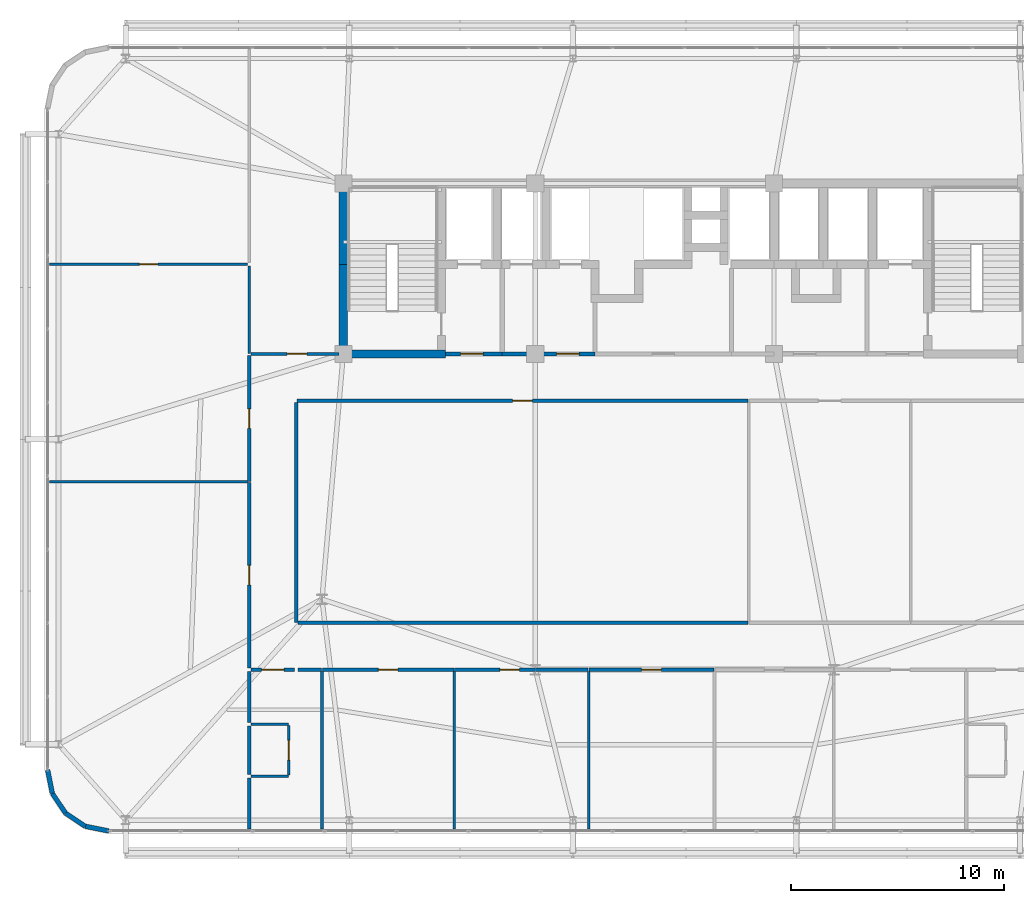
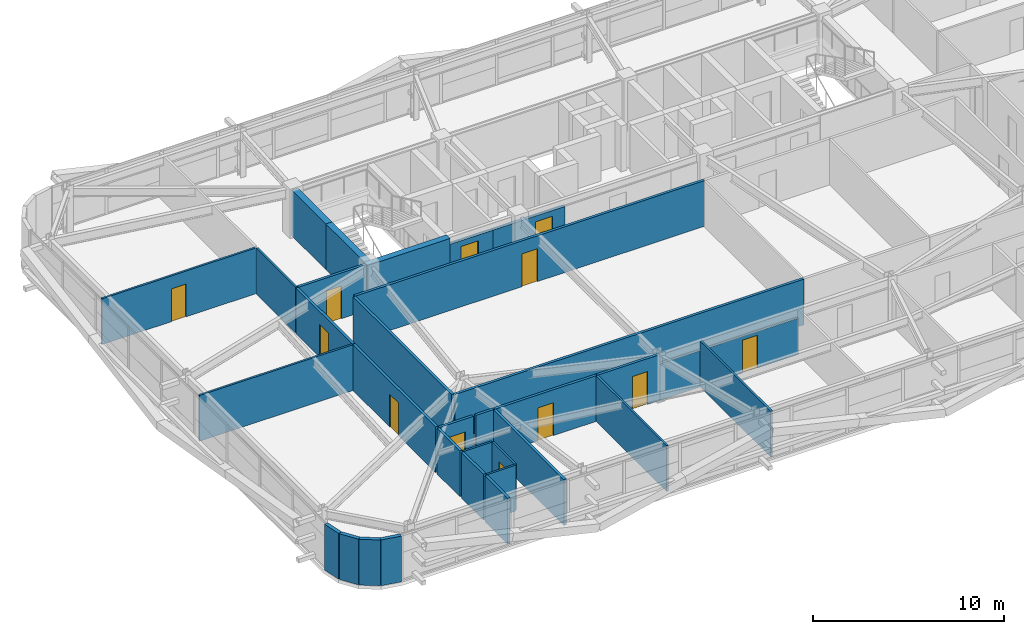
# One storey, part 52 of 58: 33 walls, 12 doors, 12 openings.
"""IFC4 building model written with IfcOpenShell, lengths in metres."""

from ifc_helpers import new_model, si_unit, direction, frame, frame_2d, origin, place, context, subcontext, project, spatial, rectangle, extrude, source, transform, mapped, material, layer, layer_set, type_object, element, fill, save


model = new_model("IFC4")

# Units and contexts
model_context = context("Model", 3, precision=1e-05, world=origin(), true_north=direction((0.0, 1.0)))
body_context = subcontext(model_context, "Body", "Model", "MODEL_VIEW")
ifc_project = project(units=[si_unit("LENGTHUNIT", "METRE"), si_unit("AREAUNIT", "SQUARE_METRE"), si_unit("VOLUMEUNIT", "CUBIC_METRE"), si_unit("PLANEANGLEUNIT", "RADIAN"), si_unit("MASSUNIT", "GRAM", prefix="KILO")], contexts=[model_context])

# Site, building, storey
site_placement = place(None, origin())
site = spatial("IfcSite", under=ifc_project, at=site_placement, CompositionType="ELEMENT")
building_placement = place(site_placement, origin())
building = spatial("IfcBuilding", under=site, at=building_placement, Name="Taldren Reach Tower", CompositionType="ELEMENT")
storey_placement = place(building_placement, frame((0.0, 0.0, 51.449951171875)))
storey = spatial("IfcBuildingStorey", under=building, at=storey_placement, Name="L15", CompositionType="ELEMENT", Elevation=51.449951171875)

# Walls
ifc_material_1 = material(Name="Pale Champagne Anodised Aluminium Cladding", Category="aluminium")
ifc_layer_1 = layer(ifc_material_1, 0.04, Name="Pale Champagne Anodised Aluminium Cladding", Category="aluminium")
ifc_material_2 = material(Name="Mineral Wool Acoustic Insulation", Category="insulation")
ifc_layer_2 = layer(ifc_material_2, 0.06, Name="Mineral Wool Acoustic Insulation", Category="insulation")
ifc_material_3 = material(Name="Steel Gr 350 (C350L0)", Category="steel")
ifc_layer_3 = layer(ifc_material_3, 0.12, Name="Steel Gr 350 (C350L0)", Category="steel")
ifc_layer_set_1 = layer_set([ifc_layer_1, ifc_layer_2, ifc_layer_3], Name="Pale Champagne Aluminium Cladding and Steel Gr 350 Stud Framing")
wall_type_1 = type_object("IfcWallType", Name="EW-CRN-220", PredefinedType="SOLIDWALL", material=ifc_layer_set_1)
shared_shape_1 = source(origin(), body_context, "Body", "SweptSolid", [
    extrude(rectangle(XDim=1.115966796875, YDim=0.219970703125, at=frame_2d((0.55810546875, 0.0))), origin(), (0.0, 0.0, 1.0), 2.929931640625),
])
for number, where, z_axis, x_axis, name in (
    (1, (5.139892578125, 4.5, 0.0), (0.0, 0.0, 1.0), (0.195148375659, -0.98077373103, 0.0), "Rounded-corner pale-metal facade wall L15-SW1"),
    (2, (5.357666015625, 3.405517578125, 0.0), (0.0, 0.0, 1.0), (0.555709556774, -0.83137650226, 0.0), "Rounded-corner pale-metal facade wall L15-SW2"),
    (3, (5.977783203125, 2.477783203125, 0.0), (0.0, 0.0, 1.0), (0.83137650226, -0.555709556774, 0.0), "Rounded-corner pale-metal facade wall L15-SW3"),
    (4, (6.905517578125, 1.857666015625, 0.0), (0.0, 0.0, 1.0), (0.98077373103, -0.195148375659, 0.0), "Rounded-corner pale-metal facade wall L15-SW4"),
):
    element("IfcWall", number, at=place(storey_placement, frame(where, z_axis=z_axis, x_axis=x_axis)), inside=storey, type_object=wall_type_1, Name=name, PredefinedType="SOLIDWALL", context=body_context, shape_type="MappedRepresentation", body=[
        mapped(shared_shape_1, transform((0.0, 0.0, 0.0), scale=1.0)),
    ])
ifc_material_4 = material(Name="Concrete S80 (80 MPa)", Category="concrete")
ifc_layer_4 = layer(ifc_material_4, 0.3798828125)
ifc_layer_set_2 = layer_set([ifc_layer_4], Name="Concrete S80 (80 MPa)")
wall_type_2 = type_object("IfcWallType", Name="IW-CORE-380", PredefinedType="SHEAR", material=ifc_layer_set_2)
shared_shape_2 = source(origin(), body_context, "Body", "SweptSolid", [
    extrude(rectangle(XDim=4.010009765625, YDim=0.3798828125, at=frame_2d((2.0048828125, 0.0))), origin(), (0.0, 0.0, 1.0), 2.929931640625),
])
wall_1_placement = place(storey_placement, frame((19.0, 24.18994140625, 0.0), z_axis=(0.0, 0.0, 1.0), x_axis=(0.0, 1.0, 0.0)))
element("IfcWall", 5, at=wall_1_placement, inside=storey, type_object=wall_type_2, Name="Rear Core Shear Wall W-CORE-L15-WEST1", PredefinedType="SHEAR", context=body_context, shape_type="MappedRepresentation", body=[
    mapped(shared_shape_2, transform((0.0, 0.0, 0.0), scale=1.0)),
])
shared_shape_3 = source(origin(), body_context, "Body", "SweptSolid", [
    extrude(rectangle(XDim=3.610107421875, YDim=0.3798828125, at=frame_2d((1.80517578125, 0.0))), origin(), (0.0, 0.0, 1.0), 2.929931640625),
])
wall_2_placement = place(storey_placement, frame((19.0, 28.199951171875, 0.0), z_axis=(0.0, 0.0, 1.0), x_axis=(0.0, 1.0, 0.0)))
element("IfcWall", 6, at=wall_2_placement, inside=storey, type_object=wall_type_2, Name="Rear Core Shear Wall W-CORE-L15-WEST2", PredefinedType="SHEAR", context=body_context, shape_type="MappedRepresentation", body=[
    mapped(shared_shape_3, transform((0.0, 0.0, 0.0), scale=1.0)),
])
shared_shape_4 = source(origin(), body_context, "Body", "SweptSolid", [
    extrude(rectangle(XDim=4.97998046875, YDim=0.3798828125, at=frame_2d((2.489990234375, 0.0))), origin(), (0.0, 0.0, 1.0), 2.929931640625),
])
wall_3_placement = place(storey_placement, frame((18.81005859375, 24.0, 0.0), z_axis=(0.0, 0.0, 1.0), x_axis=(1.0, 0.0, 0.0)))
element("IfcWall", 7, at=wall_3_placement, inside=storey, type_object=wall_type_2, Name="Rear Core Shear Wall W-INT-L15-003", PredefinedType="SHEAR", context=body_context, shape_type="MappedRepresentation", body=[
    mapped(shared_shape_4, transform((0.0, 0.0, 0.0), scale=1.0)),
])

# Wall, opening, door
ifc_material_5 = material(Name="Concrete S50 (50 MPa)", Category="concrete")
ifc_layer_5 = layer(ifc_material_5, 0.199951171875)
ifc_layer_set_3 = layer_set([ifc_layer_5], Name="Concrete S50 (50 MPa)")
wall_type_3 = type_object("IfcWallType", Name="IW-CORE-200", PredefinedType="SOLIDWALL", material=ifc_layer_set_3)
shared_shape_5 = source(origin(), body_context, "Body", "SweptSolid", [
    extrude(rectangle(XDim=2.659912109375, YDim=0.199951171875, at=frame_2d((1.330078125, 0.0))), origin(), (0.0, 0.0, 1.0), 2.469970703125),
])
wall_4_placement = place(storey_placement, frame((23.7900390625, 24.0, 0.0), z_axis=(0.0, 0.0, 1.0), x_axis=(1.0, 0.0, 0.0)))
wall_4 = element("IfcWall", 8, at=wall_4_placement, inside=storey, type_object=wall_type_3, Name="Rear Core Shear Wall W-INT-L15-007", PredefinedType="SOLIDWALL", context=body_context, shape_type="MappedRepresentation", body=[
    mapped(shared_shape_5, transform((0.0, 0.0, 0.0), scale=1.0)),
])
shared_shape_6 = source(origin(), body_context, "Body", "SweptSolid", [
    extrude(rectangle(XDim=1.050048828125, YDim=2.10009765625, at=frame_2d((0.52490234375, 1.050048828125))), frame((0.0, 0.10986328125, 0.0), z_axis=(0.0, -1.0, 0.0), x_axis=(1.0, 0.0, 0.0)), (0.0, 0.0, 1.0), 0.219970703125),
])
opening_1_placement = place(wall_4_placement, frame((0.7099609375, 0.0, 0.0)))
opening_1 = element("IfcOpeningElement", 9, at=opening_1_placement, cuts=wall_4, Name="Opening DF-105", PredefinedType="OPENING", context=body_context, shape_type="MappedRepresentation", body=[
    mapped(shared_shape_6, transform((0.0, 0.0, 0.0), scale=1.0)),
])
ifc_material_6 = material(Name="Fire-Rated Care and Stair Exit Door")
door_type_1 = type_object("IfcDoorType", Name="ID-FIRE-105", OperationType="NOTDEFINED", PredefinedType="DOOR", material=ifc_material_6)
shared_shape_7 = source(origin(), body_context, "Body", "SweptSolid", [
    extrude(rectangle(XDim=1.050048828125, YDim=2.10009765625, at=frame_2d((0.52490234375, 1.050048828125))), frame((0.0, 0.02490234375, 0.0), z_axis=(0.0, -1.0, 0.0), x_axis=(1.0, 0.0, 0.0)), (0.0, 0.0, 1.0), 0.050048828125),
])
door_1_placement = place(opening_1_placement, origin())
door_1 = element("IfcDoor", 10, at=door_1_placement, inside=storey, type_object=door_type_1, Name="Interior Door DR-L15-002", OperationType="SINGLE_SWING_LEFT", OverallHeight=2.10009765625, OverallWidth=1.050048828125, PredefinedType="DOOR", context=body_context, shape_type="MappedRepresentation", body=[
    mapped(shared_shape_7, transform((0.0, 0.0, 0.0), scale=1.0)),
])
fill(opening_1, door_1)

shared_shape_8 = source(origin(), body_context, "Body", "SweptSolid", [
    extrude(rectangle(XDim=4.35009765625, YDim=0.199951171875, at=frame_2d((2.175048828125, 0.0))), origin(), (0.0, 0.0, 1.0), 2.469970703125),
])
wall_5_placement = place(storey_placement, frame((30.800048828125, 24.0, 0.0), z_axis=(0.0, 0.0, 1.0), x_axis=(-1.0, 0.0, 0.0)))
wall_5 = element("IfcWall", 11, at=wall_5_placement, inside=storey, type_object=wall_type_3, Name="Rear Core Shear Wall W-INT-L15-033", PredefinedType="SOLIDWALL", context=body_context, shape_type="MappedRepresentation", body=[
    mapped(shared_shape_8, transform((0.0, 0.0, 0.0), scale=1.0)),
])
opening_2_placement = place(wall_5_placement, frame((0.75, 0.0, 0.0)))
opening_2 = element("IfcOpeningElement", 12, at=opening_2_placement, cuts=wall_5, Name="Opening DF-105", PredefinedType="OPENING", context=body_context, shape_type="MappedRepresentation", body=[
    mapped(shared_shape_6, transform((0.0, 0.0, 0.0), scale=1.0)),
])
door_2_placement = place(opening_2_placement, frame((1.050048828125, 0.0, 0.0), z_axis=(0.0, 0.0, 1.0), x_axis=(-1.0, 0.0, 0.0)))
door_2 = element("IfcDoor", 13, at=door_2_placement, inside=storey, type_object=door_type_1, Name="Interior Door DR-L15-005", OperationType="SINGLE_SWING_RIGHT", OverallHeight=2.10009765625, OverallWidth=1.050048828125, PredefinedType="DOOR", context=body_context, shape_type="MappedRepresentation", body=[
    mapped(shared_shape_7, transform((0.0, 0.0, 0.0), scale=1.0)),
])
fill(opening_2, door_2)

# Wall
ifc_material_7 = material(Name="Fire-Rated Acoustic Plasterboard Stud Wall", Category="gypsum")
ifc_layer_6 = layer(ifc_material_7, 0.159912109375)
ifc_layer_set_4 = layer_set([ifc_layer_6], Name="Fire-Rated Acoustic Plasterboard Stud Wall")
wall_type_4 = type_object("IfcWallType", Name="IW-FIRE-160", PredefinedType="PARTITIONING", material=ifc_layer_set_4)
shared_shape_9 = source(origin(), body_context, "Body", "SweptSolid", [
    extrude(rectangle(XDim=10.2998046875, YDim=0.159912109375, at=frame_2d((5.14990234375, 0.0))), origin(), (0.0, 0.0, 1.0), 2.929931640625),
])
wall_6_placement = place(storey_placement, frame((16.800048828125, 21.719970703125, 0.0), z_axis=(0.0, 0.0, 1.0), x_axis=(0.0, -1.0, 0.0)))
element("IfcWall", 14, at=wall_6_placement, inside=storey, type_object=wall_type_4, Name="Interior Partition Wall W-INT-L15-046", PredefinedType="PARTITIONING", context=body_context, shape_type="MappedRepresentation", body=[
    mapped(shared_shape_9, transform((0.0, 0.0, 0.0), scale=1.0)),
])

# Wall, opening, door
shared_shape_10 = source(origin(), body_context, "Body", "SweptSolid", [
    extrude(rectangle(XDim=2.0400390625, YDim=0.159912109375, at=frame_2d((1.02001953125, 0.0))), origin(), (0.0, 0.0, 1.0), 2.929931640625),
])
wall_7_placement = place(storey_placement, frame((16.719970703125, 9.199951171875, 0.0), z_axis=(0.0, 0.0, 1.0), x_axis=(-1.0, 0.0, 0.0)))
wall_7 = element("IfcWall", 15, at=wall_7_placement, inside=storey, type_object=wall_type_4, Name="Interior Partition Wall W-INT-L15-050", PredefinedType="PARTITIONING", context=body_context, shape_type="MappedRepresentation", body=[
    mapped(shared_shape_10, transform((0.0, 0.0, 0.0), scale=1.0)),
])
shared_shape_11 = source(origin(), body_context, "Body", "SweptSolid", [
    extrude(rectangle(XDim=1.050048828125, YDim=2.10009765625, at=frame_2d((0.52490234375, 1.050048828125))), frame((0.0, 0.08984375, 0.0), z_axis=(0.0, -1.0, 0.0), x_axis=(1.0, 0.0, 0.0)), (0.0, 0.0, 1.0), 0.179931640625),
])
opening_3_placement = place(wall_7_placement, frame((0.4951171875, 0.0, 0.0)))
opening_3 = element("IfcOpeningElement", 16, at=opening_3_placement, cuts=wall_7, Name="Opening DF-105", PredefinedType="OPENING", context=body_context, shape_type="MappedRepresentation", body=[
    mapped(shared_shape_11, transform((0.0, 0.0, 0.0), scale=1.0)),
])
door_3_placement = place(opening_3_placement, origin())
door_3 = element("IfcDoor", 17, at=door_3_placement, inside=storey, type_object=door_type_1, Name="Interior Door DR-L15-011", OperationType="SINGLE_SWING_RIGHT", OverallHeight=2.10009765625, OverallWidth=1.050048828125, PredefinedType="DOOR", context=body_context, shape_type="MappedRepresentation", body=[
    mapped(shared_shape_7, transform((0.0, 0.0, 0.0), scale=1.0)),
])
fill(opening_3, door_3)

shared_shape_12 = source(origin(), body_context, "Body", "SweptSolid", [
    extrude(rectangle(XDim=4.130126953125, YDim=0.159912109375, at=frame_2d((2.06494140625, 0.0))), origin(), (0.0, 0.0, 1.0), 2.929931640625),
])
wall_8_placement = place(storey_placement, frame((14.679931640625, 24.0, 0.0), z_axis=(0.0, 0.0, 1.0), x_axis=(1.0, 0.0, 0.0)))
wall_8 = element("IfcWall", 18, at=wall_8_placement, inside=storey, type_object=wall_type_4, Name="Interior Partition Wall W-INT-L15-058", PredefinedType="PARTITIONING", context=body_context, shape_type="MappedRepresentation", body=[
    mapped(shared_shape_12, transform((0.0, 0.0, 0.0), scale=1.0)),
])
shared_shape_13 = source(origin(), body_context, "Body", "SweptSolid", [
    extrude(rectangle(XDim=0.919921875, YDim=2.10009765625, at=frame_2d((0.4599609375, 1.050048828125))), frame((0.0, 0.08984375, 0.0), z_axis=(0.0, -1.0, 0.0), x_axis=(1.0, 0.0, 0.0)), (0.0, 0.0, 1.0), 0.179931640625),
])
opening_4_placement = place(wall_8_placement, frame((1.68994140625, 0.0, 0.0)))
opening_4 = element("IfcOpeningElement", 19, at=opening_4_placement, cuts=wall_8, Name="Opening DI-092", PredefinedType="OPENING", context=body_context, shape_type="MappedRepresentation", body=[
    mapped(shared_shape_13, transform((0.0, 0.0, 0.0), scale=1.0)),
])
ifc_material_8 = material(Name="Solid-Core Timber Suite Door", Category="wood")
door_type_2 = type_object("IfcDoorType", Name="ID-INT-092", OperationType="NOTDEFINED", PredefinedType="DOOR", material=ifc_material_8)
shared_shape_14 = source(origin(), body_context, "Body", "SweptSolid", [
    extrude(rectangle(XDim=0.919921875, YDim=2.10009765625, at=frame_2d((0.4599609375, 1.050048828125))), frame((0.0, 0.02490234375, 0.0), z_axis=(0.0, -1.0, 0.0), x_axis=(1.0, 0.0, 0.0)), (0.0, 0.0, 1.0), 0.050048828125),
])
door_4_placement = place(opening_4_placement, origin())
door_4 = element("IfcDoor", 20, at=door_4_placement, inside=storey, type_object=door_type_2, Name="Interior Door DR-L15-019", OperationType="SINGLE_SWING_RIGHT", OverallHeight=2.10009765625, OverallWidth=0.919921875, PredefinedType="DOOR", context=body_context, shape_type="MappedRepresentation", body=[
    mapped(shared_shape_14, transform((0.0, 0.0, 0.0), scale=1.0)),
])
fill(opening_4, door_4)

# Walls
ifc_material_9 = material(Name="Insulated Residential Stud Partition", Category="gypsum")
ifc_layer_7 = layer(ifc_material_9, 0.1201171875)
ifc_layer_set_5 = layer_set([ifc_layer_7], Name="Insulated Residential Stud Partition")
wall_type_5 = type_object("IfcWallType", Name="IW-PART-120", PredefinedType="PARTITIONING", material=ifc_layer_set_5)
shared_shape_15 = source(origin(), body_context, "Body", "SweptSolid", [
    extrude(rectangle(XDim=7.39013671875, YDim=0.1201171875, at=frame_2d((3.695068359375, 0.0))), origin(), (0.0, 0.0, 1.0), 2.929931640625),
])
for number, where, z_axis, x_axis, name in (
    (21, (24.199951171875, 9.1201171875, 0.0), (0.0, 0.0, 1.0), (0.0, -1.0, 0.0), "Interior Partition Wall W-INT-L15-080"),
    (22, (30.5, 9.1201171875, 0.0), (0.0, 0.0, 1.0), (0.0, -1.0, 0.0), "Interior Partition Wall W-INT-L15-081"),
):
    element("IfcWall", number, at=place(storey_placement, frame(where, z_axis=z_axis, x_axis=x_axis)), inside=storey, type_object=wall_type_5, Name=name, PredefinedType="PARTITIONING", context=body_context, shape_type="MappedRepresentation", body=[
        mapped(shared_shape_15, transform((0.0, 0.0, 0.0), scale=1.0)),
    ])
shared_shape_16 = source(origin(), body_context, "Body", "SweptSolid", [
    extrude(rectangle(XDim=1.099853515625, YDim=0.159912109375, at=frame_2d((0.5498046875, 0.0))), origin(), (0.0, 0.0, 1.0), 2.929931640625),
])
wall_9_placement = place(storey_placement, frame((17.979736328125, 9.199951171875, 0.0), z_axis=(0.0, 0.0, 1.0), x_axis=(-1.0, 0.0, 0.0)))
element("IfcWall", 23, at=wall_9_placement, inside=storey, type_object=wall_type_4, Name="Interior Partition Wall W-INT-L15-063", PredefinedType="PARTITIONING", context=body_context, shape_type="MappedRepresentation", body=[
    mapped(shared_shape_16, transform((0.0, 0.0, 0.0), scale=1.0)),
])

# Wall, opening, door
shared_shape_17 = source(origin(), body_context, "Body", "SweptSolid", [
    extrude(rectangle(XDim=2.330078125, YDim=0.1201171875, at=frame_2d((1.1650390625, 0.0))), origin(), (0.0, 0.0, 1.0), 2.929931640625),
])
wall_10_placement = place(storey_placement, frame((16.449951171875, 4.260009765625, 0.0), z_axis=(0.0, 0.0, 1.0), x_axis=(0.0, 1.0, 0.0)))
wall_10 = element("IfcWall", 24, at=wall_10_placement, inside=storey, type_object=wall_type_5, Name="Interior Partition Wall W-INT-L15-073", PredefinedType="PARTITIONING", context=body_context, shape_type="MappedRepresentation", body=[
    mapped(shared_shape_17, transform((0.0, 0.0, 0.0), scale=1.0)),
])
shared_shape_18 = source(origin(), body_context, "Body", "SweptSolid", [
    extrude(rectangle(XDim=0.919921875, YDim=2.10009765625, at=frame_2d((0.4599609375, 1.050048828125))), frame((0.0, 0.070068359375, 0.0), z_axis=(0.0, -1.0, 0.0), x_axis=(1.0, 0.0, 0.0)), (0.0, 0.0, 1.0), 0.14013671875),
])
opening_5_placement = place(wall_10_placement, frame((0.705078125, 0.0, 0.0)))
opening_5 = element("IfcOpeningElement", 25, at=opening_5_placement, cuts=wall_10, Name="Opening DI-092", PredefinedType="OPENING", context=body_context, shape_type="MappedRepresentation", body=[
    mapped(shared_shape_18, transform((0.0, 0.0, 0.0), scale=1.0)),
])
door_5_placement = place(opening_5_placement, origin())
door_5 = element("IfcDoor", 26, at=door_5_placement, inside=storey, type_object=door_type_2, Name="Interior Door DR-L15-026", OperationType="SINGLE_SWING_LEFT", OverallHeight=2.10009765625, OverallWidth=0.919921875, PredefinedType="DOOR", context=body_context, shape_type="MappedRepresentation", body=[
    mapped(shared_shape_14, transform((0.0, 0.0, 0.0), scale=1.0)),
])
fill(opening_5, door_5)

# Walls
shared_shape_19 = source(origin(), body_context, "Body", "SweptSolid", [
    extrude(rectangle(XDim=1.749755859375, YDim=0.1201171875, at=frame_2d((0.875, 0.0))), origin(), (0.0, 0.0, 1.0), 2.929931640625),
])
for number, where, z_axis, x_axis, name in (
    (27, (14.679931640625, 4.199951171875, 0.0), (0.0, 0.0, 1.0), (1.0, 0.0, 0.0), "Interior Partition Wall W-INT-L15-074"),
    (28, (16.4296875, 6.64990234375, 0.0), (0.0, 0.0, 1.0), (-1.0, 0.0, 0.0), "Interior Partition Wall W-INT-L15-075"),
):
    element("IfcWall", number, at=place(storey_placement, frame(where, z_axis=z_axis, x_axis=x_axis)), inside=storey, type_object=wall_type_5, Name=name, PredefinedType="PARTITIONING", context=body_context, shape_type="MappedRepresentation", body=[
        mapped(shared_shape_19, transform((0.0, 0.0, 0.0), scale=1.0)),
    ])
shared_shape_20 = source(origin(), body_context, "Body", "SweptSolid", [
    extrude(rectangle(XDim=2.38818359375, YDim=0.159912109375, at=frame_2d((1.194091796875, 0.0))), origin(), (0.0, 0.0, 1.0), 2.929931640625),
])
wall_11_placement = place(storey_placement, frame((14.60009765625, 1.73193359375, 0.0), z_axis=(0.0, 0.0, 1.0), x_axis=(0.0, 1.0, 0.0)))
element("IfcWall", 29, at=wall_11_placement, inside=storey, type_object=wall_type_4, Name="Interior Partition Wall W-INT-L15-077", PredefinedType="PARTITIONING", context=body_context, shape_type="MappedRepresentation", body=[
    mapped(shared_shape_20, transform((0.0, 0.0, 0.0), scale=1.0)),
])
shared_shape_21 = source(origin(), body_context, "Body", "SweptSolid", [
    extrude(rectangle(XDim=2.387939453125, YDim=0.159912109375, at=frame_2d((1.19384765625, 0.0))), origin(), (0.0, 0.0, 1.0), 2.929931640625),
])
wall_12_placement = place(storey_placement, frame((14.60009765625, 6.72998046875, 0.0), z_axis=(0.0, 0.0, 1.0), x_axis=(0.0, 1.0, 0.0)))
element("IfcWall", 30, at=wall_12_placement, inside=storey, type_object=wall_type_4, Name="Interior Partition Wall W-INT-L15-078", PredefinedType="PARTITIONING", context=body_context, shape_type="MappedRepresentation", body=[
    mapped(shared_shape_21, transform((0.0, 0.0, 0.0), scale=1.0)),
])
shared_shape_22 = source(origin(), body_context, "Body", "SweptSolid", [
    extrude(rectangle(XDim=2.2900390625, YDim=0.159912109375, at=frame_2d((1.14501953125, 0.0))), origin(), (0.0, 0.0, 1.0), 2.929931640625),
])
wall_13_placement = place(storey_placement, frame((14.60009765625, 4.280029296875, 0.0), z_axis=(0.0, 0.0, 1.0), x_axis=(0.0, 1.0, 0.0)))
element("IfcWall", 31, at=wall_13_placement, inside=storey, type_object=wall_type_4, Name="Interior Partition Wall W-INT-L15-079", PredefinedType="PARTITIONING", context=body_context, shape_type="MappedRepresentation", body=[
    mapped(shared_shape_22, transform((0.0, 0.0, 0.0), scale=1.0)),
])
shared_shape_23 = source(origin(), body_context, "Body", "SweptSolid", [
    extrude(rectangle(XDim=7.385986328125, YDim=0.159912109375, at=frame_2d((3.69287109375, 0.0))), origin(), (0.0, 0.0, 1.0), 2.929931640625),
])
wall_14_placement = place(storey_placement, frame((18.0, 9.117919921875, 0.0), z_axis=(0.0, 0.0, 1.0), x_axis=(0.0, -1.0, 0.0)))
element("IfcWall", 32, at=wall_14_placement, inside=storey, type_object=wall_type_4, Name="Interior Partition Wall W-INT-L15-076", PredefinedType="PARTITIONING", context=body_context, shape_type="MappedRepresentation", body=[
    mapped(shared_shape_23, transform((0.0, 0.0, 0.0), scale=1.0)),
])
shared_shape_24 = source(origin(), body_context, "Body", "SweptSolid", [
    extrude(rectangle(XDim=9.2861328125, YDim=0.1201171875, at=frame_2d((4.64306640625, 0.0))), origin(), (0.0, 0.0, 1.0), 2.929931640625),
])
wall_15_placement = place(storey_placement, frame((5.23193359375, 18.0, 0.0), z_axis=(0.0, 0.0, 1.0), x_axis=(1.0, 0.0, 0.0)))
element("IfcWall", 33, at=wall_15_placement, inside=storey, type_object=wall_type_5, Name="Interior Partition Wall W-INT-L15-097", PredefinedType="PARTITIONING", context=body_context, shape_type="MappedRepresentation", body=[
    mapped(shared_shape_24, transform((0.0, 0.0, 0.0), scale=1.0)),
])

# Wall, opening, door
wall_16_placement = place(storey_placement, frame((5.23193359375, 28.199951171875, 0.0), z_axis=(0.0, 0.0, 1.0), x_axis=(1.0, 0.0, 0.0)))
wall_16 = element("IfcWall", 34, at=wall_16_placement, inside=storey, type_object=wall_type_5, Name="Interior Partition Wall W-INT-L15-098", PredefinedType="PARTITIONING", context=body_context, shape_type="MappedRepresentation", body=[
    mapped(shared_shape_24, transform((0.0, 0.0, 0.0), scale=1.0)),
])
shared_shape_25 = source(origin(), body_context, "Body", "SweptSolid", [
    extrude(rectangle(XDim=0.860107421875, YDim=2.10009765625, at=frame_2d((0.43017578125, 1.050048828125))), frame((0.0, 0.070068359375, 0.0), z_axis=(0.0, -1.0, 0.0), x_axis=(1.0, 0.0, 0.0)), (0.0, 0.0, 1.0), 0.14013671875),
])
opening_6_placement = place(wall_16_placement, frame((4.212890625, 0.0, 0.0)))
opening_6 = element("IfcOpeningElement", 35, at=opening_6_placement, cuts=wall_16, Name="Opening DI-086", PredefinedType="OPENING", context=body_context, shape_type="MappedRepresentation", body=[
    mapped(shared_shape_25, transform((0.0, 0.0, 0.0), scale=1.0)),
])
ifc_material_10 = material(Name="Timber Bathroom Door", Category="wood")
door_type_3 = type_object("IfcDoorType", Name="ID-INT-086", OperationType="NOTDEFINED", PredefinedType="DOOR", material=ifc_material_10)
shared_shape_26 = source(origin(), body_context, "Body", "SweptSolid", [
    extrude(rectangle(XDim=0.860107421875, YDim=2.10009765625, at=frame_2d((0.43017578125, 1.050048828125))), frame((0.0, 0.02490234375, 0.0), z_axis=(0.0, -1.0, 0.0), x_axis=(1.0, 0.0, 0.0)), (0.0, 0.0, 1.0), 0.050048828125),
])
door_6_placement = place(opening_6_placement, origin())
door_6 = element("IfcDoor", 36, at=door_6_placement, inside=storey, type_object=door_type_3, Name="Interior Door DR-L15-029", OperationType="SINGLE_SWING_RIGHT", OverallHeight=2.10009765625, OverallWidth=0.860107421875, PredefinedType="DOOR", context=body_context, shape_type="MappedRepresentation", body=[
    mapped(shared_shape_26, transform((0.0, 0.0, 0.0), scale=1.0)),
])
fill(opening_6, door_6)

shared_shape_27 = source(origin(), body_context, "Body", "SweptSolid", [
    extrude(rectangle(XDim=21.159423828125, YDim=0.159912109375, at=frame_2d((10.57958984375, 0.0))), origin(), (0.0, 0.0, 1.0), 2.929931640625),
])
wall_17_placement = place(storey_placement, frame((37.979736328125, 21.800048828125, 0.0), z_axis=(0.0, 0.0, 1.0), x_axis=(-1.0, 0.0, 0.0)))
wall_17 = element("IfcWall", 37, at=wall_17_placement, inside=storey, type_object=wall_type_4, Name="Interior Partition Wall W-INT-L15-045", PredefinedType="PARTITIONING", context=body_context, shape_type="MappedRepresentation", body=[
    mapped(shared_shape_27, transform((0.0, 0.0, 0.0), scale=1.0)),
])
opening_7_placement = place(wall_17_placement, frame((10.119873046875, 0.0, 0.0)))
opening_7 = element("IfcOpeningElement", 38, at=opening_7_placement, cuts=wall_17, Name="Opening DI-092", PredefinedType="OPENING", context=body_context, shape_type="MappedRepresentation", body=[
    mapped(shared_shape_13, transform((0.0, 0.0, 0.0), scale=1.0)),
])
door_7_placement = place(opening_7_placement, origin())
door_7 = element("IfcDoor", 39, at=door_7_placement, inside=storey, type_object=door_type_2, Name="Interior Door DR-L15-008", OperationType="SINGLE_SWING_LEFT", OverallHeight=2.10009765625, OverallWidth=0.919921875, PredefinedType="DOOR", context=body_context, shape_type="MappedRepresentation", body=[
    mapped(shared_shape_14, transform((0.0, 0.0, 0.0), scale=1.0)),
])
fill(opening_7, door_7)

shared_shape_28 = source(origin(), body_context, "Body", "SweptSolid", [
    extrude(rectangle(XDim=8.69970703125, YDim=0.159912109375, at=frame_2d((4.349853515625, 0.0))), origin(), (0.0, 0.0, 1.0), 2.929931640625),
])
wall_18_placement = place(storey_placement, frame((14.60009765625, 9.280029296875, 0.0), z_axis=(0.0, 0.0, 1.0), x_axis=(0.0, 1.0, 0.0)))
wall_18 = element("IfcWall", 40, at=wall_18_placement, inside=storey, type_object=wall_type_4, Name="Interior Partition Wall W-INT-L15-052", PredefinedType="PARTITIONING", context=body_context, shape_type="MappedRepresentation", body=[
    mapped(shared_shape_28, transform((0.0, 0.0, 0.0), scale=1.0)),
])
opening_8_placement = place(wall_18_placement, frame((3.889892578125, 0.0, 0.0)))
opening_8 = element("IfcOpeningElement", 41, at=opening_8_placement, cuts=wall_18, Name="Opening DI-092", PredefinedType="OPENING", context=body_context, shape_type="MappedRepresentation", body=[
    mapped(shared_shape_13, transform((0.0, 0.0, 0.0), scale=1.0)),
])
door_8_placement = place(opening_8_placement, origin())
door_8 = element("IfcDoor", 42, at=door_8_placement, inside=storey, type_object=door_type_2, Name="Interior Door DR-L15-013", OperationType="SINGLE_SWING_RIGHT", OverallHeight=2.10009765625, OverallWidth=0.919921875, PredefinedType="DOOR", context=body_context, shape_type="MappedRepresentation", body=[
    mapped(shared_shape_14, transform((0.0, 0.0, 0.0), scale=1.0)),
])
fill(opening_8, door_8)

shared_shape_29 = source(origin(), body_context, "Body", "SweptSolid", [
    extrude(rectangle(XDim=5.899658203125, YDim=0.159912109375, at=frame_2d((2.94970703125, 0.0))), origin(), (0.0, 0.0, 1.0), 2.929931640625),
])
wall_19_placement = place(storey_placement, frame((14.60009765625, 18.020263671875, 0.0), z_axis=(0.0, 0.0, 1.0), x_axis=(0.0, 1.0, 0.0)))
wall_19 = element("IfcWall", 43, at=wall_19_placement, inside=storey, type_object=wall_type_4, Name="Interior Partition Wall W-INT-L15-053", PredefinedType="PARTITIONING", context=body_context, shape_type="MappedRepresentation", body=[
    mapped(shared_shape_29, transform((0.0, 0.0, 0.0), scale=1.0)),
])
opening_9_placement = place(wall_19_placement, frame((2.489990234375, 0.0, 0.0)))
opening_9 = element("IfcOpeningElement", 44, at=opening_9_placement, cuts=wall_19, Name="Opening DI-092", PredefinedType="OPENING", context=body_context, shape_type="MappedRepresentation", body=[
    mapped(shared_shape_13, transform((0.0, 0.0, 0.0), scale=1.0)),
])
door_9_placement = place(opening_9_placement, origin())
door_9 = element("IfcDoor", 45, at=door_9_placement, inside=storey, type_object=door_type_2, Name="Interior Door DR-L15-014", OperationType="SINGLE_SWING_LEFT", OverallHeight=2.10009765625, OverallWidth=0.919921875, PredefinedType="DOOR", context=body_context, shape_type="MappedRepresentation", body=[
    mapped(shared_shape_14, transform((0.0, 0.0, 0.0), scale=1.0)),
])
fill(opening_9, door_9)

# Wall
shared_shape_30 = source(origin(), body_context, "Body", "SweptSolid", [
    extrude(rectangle(XDim=21.099853515625, YDim=0.159912109375, at=frame_2d((10.5498046875, 0.0))), origin(), (0.0, 0.0, 1.0), 2.929931640625),
])
wall_20_placement = place(storey_placement, frame((16.8798828125, 11.39990234375, 0.0), z_axis=(0.0, 0.0, 1.0), x_axis=(1.0, 0.0, 0.0)))
element("IfcWall", 46, at=wall_20_placement, inside=storey, type_object=wall_type_4, Name="Interior Partition Wall W-INT-L15-060", PredefinedType="PARTITIONING", context=body_context, shape_type="MappedRepresentation", body=[
    mapped(shared_shape_30, transform((0.0, 0.0, 0.0), scale=1.0)),
])

# Wall, opening, door
shared_shape_31 = source(origin(), body_context, "Body", "SweptSolid", [
    extrude(rectangle(XDim=6.159423828125, YDim=0.159912109375, at=frame_2d((3.07958984375, 0.0))), origin(), (0.0, 0.0, 1.0), 2.929931640625),
])
wall_21_placement = place(storey_placement, frame((24.1796875, 9.199951171875, 0.0), z_axis=(0.0, 0.0, 1.0), x_axis=(-1.0, 0.0, 0.0)))
wall_21 = element("IfcWall", 47, at=wall_21_placement, inside=storey, type_object=wall_type_4, Name="Interior Partition Wall W-INT-L15-064", PredefinedType="PARTITIONING", context=body_context, shape_type="MappedRepresentation", body=[
    mapped(shared_shape_31, transform((0.0, 0.0, 0.0), scale=1.0)),
])
opening_10_placement = place(wall_21_placement, frame((2.619873046875, 0.0, 0.0)))
opening_10 = element("IfcOpeningElement", 48, at=opening_10_placement, cuts=wall_21, Name="Opening DI-092", PredefinedType="OPENING", context=body_context, shape_type="MappedRepresentation", body=[
    mapped(shared_shape_13, transform((0.0, 0.0, 0.0), scale=1.0)),
])
door_10_placement = place(opening_10_placement, origin())
door_10 = element("IfcDoor", 49, at=door_10_placement, inside=storey, type_object=door_type_2, Name="Interior Door DR-L15-020", OperationType="SINGLE_SWING_LEFT", OverallHeight=2.10009765625, OverallWidth=0.919921875, PredefinedType="DOOR", context=body_context, shape_type="MappedRepresentation", body=[
    mapped(shared_shape_14, transform((0.0, 0.0, 0.0), scale=1.0)),
])
fill(opening_10, door_10)

# Wall
shared_shape_32 = source(origin(), body_context, "Body", "SweptSolid", [
    extrude(rectangle(XDim=2.479736328125, YDim=0.159912109375, at=frame_2d((1.23974609375, 0.0))), origin(), (0.0, 0.0, 1.0), 2.328125),
])
wall_22_placement = place(storey_placement, frame((30.479736328125, 9.199951171875, 0.0), z_axis=(0.0, 0.0, 1.0), x_axis=(-1.0, 0.0, 0.0)))
element("IfcWall", 50, at=wall_22_placement, inside=storey, type_object=wall_type_4, Name="Interior Partition Wall W-INT-L15-065", PredefinedType="PARTITIONING", context=body_context, shape_type="MappedRepresentation", body=[
    mapped(shared_shape_32, transform((0.0, 0.0, 0.0), scale=1.0)),
])

# Wall, opening, door
shared_shape_33 = source(origin(), body_context, "Body", "SweptSolid", [
    extrude(rectangle(XDim=3.77978515625, YDim=0.159912109375, at=frame_2d((1.889892578125, 0.0))), origin(), (0.0, 0.0, 1.0), 2.929931640625),
])
wall_23_placement = place(storey_placement, frame((28.0, 9.199951171875, 0.0), z_axis=(0.0, 0.0, 1.0), x_axis=(-1.0, 0.0, 0.0)))
wall_23 = element("IfcWall", 51, at=wall_23_placement, inside=storey, type_object=wall_type_4, Name="Interior Partition Wall W-INT-L15-065 part 2", PredefinedType="PARTITIONING", context=body_context, shape_type="MappedRepresentation", body=[
    mapped(shared_shape_33, transform((0.0, 0.0, 0.0), scale=1.0)),
])
opening_11_placement = place(wall_23_placement, frame((0.739990234375, 0.0, 0.0)))
opening_11 = element("IfcOpeningElement", 52, at=opening_11_placement, cuts=wall_23, Name="Opening DI-092", PredefinedType="OPENING", context=body_context, shape_type="MappedRepresentation", body=[
    mapped(shared_shape_13, transform((0.0, 0.0, 0.0), scale=1.0)),
])
door_11_placement = place(opening_11_placement, origin())
door_11 = element("IfcDoor", 53, at=door_11_placement, inside=storey, type_object=door_type_2, Name="Interior Door DR-L15-021", OperationType="SINGLE_SWING_RIGHT", OverallHeight=2.10009765625, OverallWidth=0.919921875, PredefinedType="DOOR", context=body_context, shape_type="MappedRepresentation", body=[
    mapped(shared_shape_14, transform((0.0, 0.0, 0.0), scale=1.0)),
])
fill(opening_11, door_11)

shared_shape_34 = source(origin(), body_context, "Body", "SweptSolid", [
    extrude(rectangle(XDim=5.859619140625, YDim=0.159912109375, at=frame_2d((2.9296875, 0.0))), origin(), (0.0, 0.0, 1.0), 2.328125),
])
wall_24_placement = place(storey_placement, frame((36.3798828125, 9.199951171875, 0.0), z_axis=(0.0, 0.0, 1.0), x_axis=(-1.0, 0.0, 0.0)))
wall_24 = element("IfcWall", 54, at=wall_24_placement, inside=storey, type_object=wall_type_4, Name="Interior Partition Wall W-INT-L15-066", PredefinedType="PARTITIONING", context=body_context, shape_type="MappedRepresentation", body=[
    mapped(shared_shape_34, transform((0.0, 0.0, 0.0), scale=1.0)),
])
opening_12_placement = place(wall_24_placement, frame((2.4697265625, 0.0, 0.0)))
opening_12 = element("IfcOpeningElement", 55, at=opening_12_placement, cuts=wall_24, Name="Opening DI-092", PredefinedType="OPENING", context=body_context, shape_type="MappedRepresentation", body=[
    mapped(shared_shape_13, transform((0.0, 0.0, 0.0), scale=1.0)),
])
door_12_placement = place(opening_12_placement, origin())
door_12 = element("IfcDoor", 56, at=door_12_placement, inside=storey, type_object=door_type_2, Name="Interior Door DR-L15-022", OperationType="SINGLE_SWING_LEFT", OverallHeight=2.10009765625, OverallWidth=0.919921875, PredefinedType="DOOR", context=body_context, shape_type="MappedRepresentation", body=[
    mapped(shared_shape_14, transform((0.0, 0.0, 0.0), scale=1.0)),
])
fill(opening_12, door_12)

# Wall
shared_shape_35 = source(origin(), body_context, "Body", "SweptSolid", [
    extrude(rectangle(XDim=4.09765625, YDim=0.1201171875, at=frame_2d((2.048828125, 0.0))), origin(), (0.0, 0.0, 1.0), 2.929931640625),
])
wall_25_placement = place(storey_placement, frame((14.60009765625, 28.117919921875, 0.0), z_axis=(0.0, 0.0, 1.0), x_axis=(0.0, -1.0, 0.0)))
element("IfcWall", 57, at=wall_25_placement, inside=storey, type_object=wall_type_5, Name="Interior Partition Wall W-INT-L15-099", PredefinedType="PARTITIONING", context=body_context, shape_type="MappedRepresentation", body=[
    mapped(shared_shape_35, transform((0.0, 0.0, 0.0), scale=1.0)),
])

save(model, "model.ifc")
